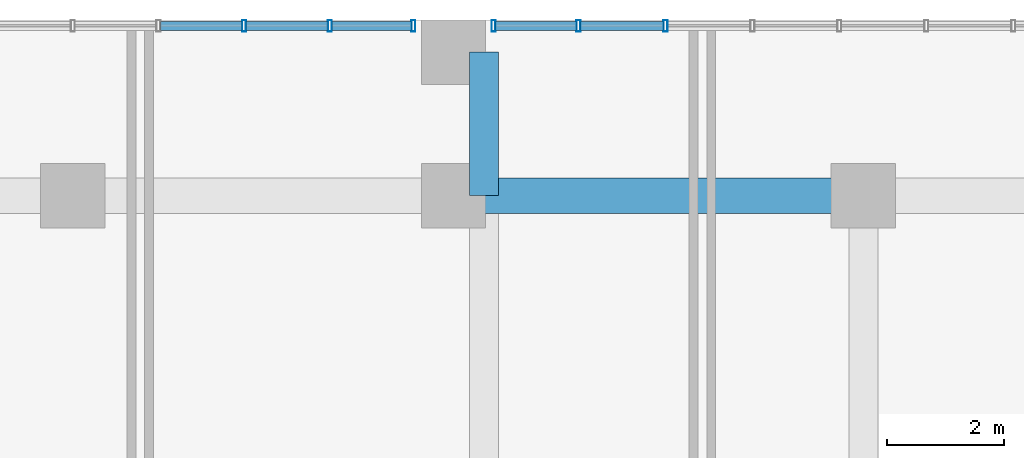
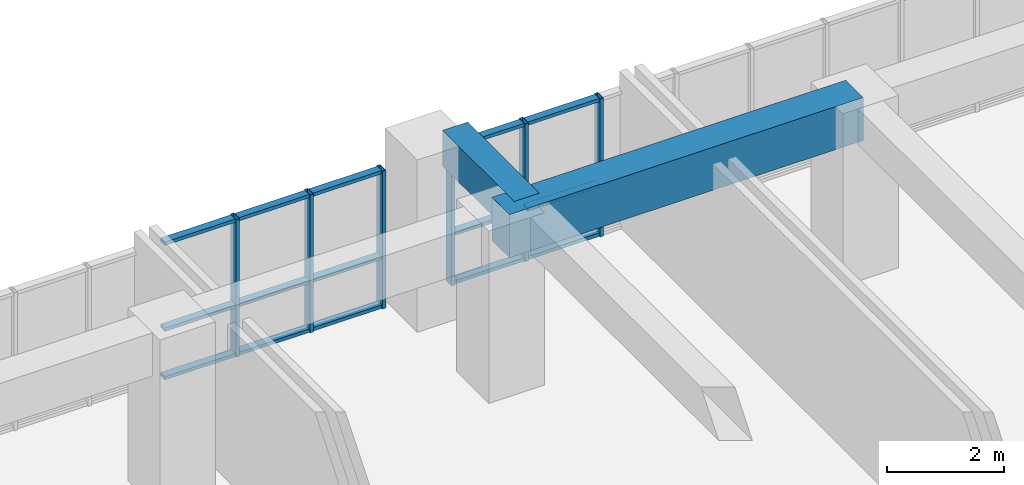
# One storey, part 13 of 30: 21 members, 2 beams, 2 elements without a shape of their own.
"""IFC4 building model written with IfcOpenShell, lengths in metres."""

from ifc_helpers import new_model, si_unit, direction, frame, origin, origin_2d, place, context, subcontext, project, spatial, rectangle, hollow_rectangle, extrude, source, transform, mapped, material, layer, layer_set, material_profile, profile_set, type_object, element, aggregate, save


model = new_model("IFC4")

# Units and contexts
model_context = context("Model", 3, precision=1e-05, world=origin(), true_north=direction((0.0, 1.0)))
body_context = subcontext(model_context, "Body", "Model", "MODEL_VIEW")
ifc_project = project(units=[si_unit("LENGTHUNIT", "METRE"), si_unit("AREAUNIT", "SQUARE_METRE"), si_unit("VOLUMEUNIT", "CUBIC_METRE"), si_unit("PLANEANGLEUNIT", "RADIAN"), si_unit("MASSUNIT", "GRAM", prefix="KILO")], contexts=[model_context])

# Site, building, storey
site_placement = place(None, origin())
site = spatial("IfcSite", under=ifc_project, at=site_placement, CompositionType="ELEMENT")
building_placement = place(site_placement, origin())
building = spatial("IfcBuilding", under=site, at=building_placement, Name="Saelheon Loggia Tower", CompositionType="ELEMENT")
storey_placement = place(building_placement, frame((0.0, 0.0, 11.39990234375)))
storey = spatial("IfcBuildingStorey", under=building, at=storey_placement, Name="L03", CompositionType="ELEMENT", Elevation=11.39990234375)

# Beams
ifc_material_1 = material(Name="Concrete C50/60", Category="concrete")
ifc_material_profile_1 = material_profile(ifc_material_1, rectangle(XDim=0.60009765625, YDim=0.89990234375, at=origin_2d()), Name="RC-600x900")
ifc_profile_set_1 = profile_set([ifc_material_profile_1], Name="Concrete C50/60")
beam_type_1 = type_object("IfcBeamType", Name="Beam_MainGirder_RC600x900", PredefinedType="BEAM", material=ifc_profile_set_1)
shared_shape_1 = source(origin(), body_context, "Body", "SweptSolid", [
    extrude(rectangle(XDim=0.60009765625, YDim=0.89990234375, at=origin_2d()), origin(), (0.0, 0.0, 1.0), 7.0),
])
beam_1_placement = place(storey_placement, frame((44.5, 51.0, 3.150146484375), z_axis=(1.0, 0.0, 0.0), x_axis=(0.0, 1.0, 0.0)))
element("IfcBeam", 1, at=beam_1_placement, inside=storey, type_object=beam_type_1, Name="BM-L03-EW-51-7", PredefinedType="BEAM", context=body_context, shape_type="MappedRepresentation", body=[
    mapped(shared_shape_1, transform((0.0, 0.0, 0.0), scale=1.0)),
])
ifc_material_2 = material(Name="Concrete C45/55", Category="concrete")
ifc_material_profile_2 = material_profile(ifc_material_2, rectangle(XDim=0.5, YDim=0.75, at=origin_2d()), Name="RC-500x750")
ifc_profile_set_2 = profile_set([ifc_material_profile_2], Name="Concrete C45/55")
beam_type_2 = type_object("IfcBeamType", Name="Beam_FloorGirder_RC500x750", PredefinedType="BEAM", material=ifc_profile_set_2)
shared_shape_2 = source(origin(), body_context, "Body", "SweptSolid", [
    extrude(rectangle(XDim=0.5, YDim=0.75, at=origin_2d()), origin(), (0.0, 0.0, 1.0), 2.449951171875),
])
beam_2_placement = place(storey_placement, frame((45.02001953125, 51.0, 3.22509765625), z_axis=(0.0, 1.0, 0.0), x_axis=(-1.0, 0.0, 0.0)))
element("IfcBeam", 2, at=beam_2_placement, inside=storey, type_object=beam_type_2, Name="BM-L03-NS-45-7", PredefinedType="BEAM", context=body_context, shape_type="MappedRepresentation", body=[
    mapped(shared_shape_2, transform((0.0, 0.0, 0.0), scale=1.0)),
])

# Curtain wall, members
ifc_material_3 = material(Name="Aluminium 6063-T6 and Low-E IGU", Category="aluminium")
ifc_layer = layer(ifc_material_3, 0.179931640625)
ifc_layer_set = layer_set([ifc_layer], Name="Aluminium 6063-T6 and Low-E IGU")
curtain_wall_type = type_object("IfcCurtainWallType", Name="CW_PodiumClinic", PredefinedType="NOTDEFINED", material=ifc_layer_set)
curtain_wall_1_placement = place(storey_placement, origin())
curtain_wall_1 = element("IfcCurtainWall", 3, at=curtain_wall_1_placement, inside=storey, type_object=curtain_wall_type, Name="L03 North Clinic Curtain Wall 2", PredefinedType="NOTDEFINED")
ifc_material_4 = material(Name="Anodised Aluminium 6063-T6", Category="aluminium")
ifc_material_profile_3 = material_profile(ifc_material_4, hollow_rectangle(XDim=0.070068359375, YDim=0.199951171875, WallThickness=0.0048828125, at=origin_2d()), Name="RHS-200x70x5")
ifc_profile_set_3 = profile_set([ifc_material_profile_3], Name="Anodised Aluminium 6063-T6")
member_type_1 = type_object("IfcMemberType", Name="CW_PodiumClinic_Mullion", PredefinedType="MULLION", material=ifc_profile_set_3)
shared_shape_3 = source(origin(), body_context, "Body", "SweptSolid", [
    extrude(hollow_rectangle(XDim=0.070068359375, YDim=0.199951171875, WallThickness=0.0048828125, at=origin_2d()), origin(), (0.0, 0.0, 1.0), 2.880126953125),
])
member_1_placement = place(storey_placement, frame((40.925048828125, 53.89990234375, 0.0), z_axis=(0.0, 0.0, 1.0), x_axis=(1.0, 0.0, 0.0)))
member_1 = element("IfcMember", 4, at=member_1_placement, type_object=member_type_1, Name="CW1 mullion 7", PredefinedType="MULLION", context=body_context, shape_type="MappedRepresentation", body=[
    mapped(shared_shape_3, transform((0.0, 0.0, 0.0), scale=1.0)),
])
member_2_placement = place(storey_placement, frame((42.387451171875, 53.89990234375, 0.0), z_axis=(0.0, 0.0, 1.0), x_axis=(1.0, 0.0, 0.0)))
member_2 = element("IfcMember", 5, at=member_2_placement, type_object=member_type_1, Name="CW1 mullion 8", PredefinedType="MULLION", context=body_context, shape_type="MappedRepresentation", body=[
    mapped(shared_shape_3, transform((0.0, 0.0, 0.0), scale=1.0)),
])
member_3_placement = place(storey_placement, frame((43.81494140625, 53.89990234375, 0.0), z_axis=(0.0, 0.0, 1.0), x_axis=(1.0, 0.0, 0.0)))
member_3 = element("IfcMember", 6, at=member_3_placement, type_object=member_type_1, Name="CW1 mullion 9", PredefinedType="MULLION", context=body_context, shape_type="MappedRepresentation", body=[
    mapped(shared_shape_3, transform((0.0, 0.0, 0.0), scale=1.0)),
])

curtain_wall_2_placement = place(storey_placement, origin())
curtain_wall_2 = element("IfcCurtainWall", 7, at=curtain_wall_2_placement, inside=storey, type_object=curtain_wall_type, Name="L03 North Clinic Curtain Wall 3", PredefinedType="NOTDEFINED")
member_4_placement = place(storey_placement, frame((45.18505859375, 53.89990234375, 0.0), z_axis=(0.0, 0.0, 1.0), x_axis=(1.0, 0.0, 0.0)))
member_4 = element("IfcMember", 8, at=member_4_placement, type_object=member_type_1, Name="CW1 mullion 1", PredefinedType="MULLION", context=body_context, shape_type="MappedRepresentation", body=[
    mapped(shared_shape_3, transform((0.0, 0.0, 0.0), scale=1.0)),
])
member_5_placement = place(storey_placement, frame((46.635009765625, 53.89990234375, 0.0), z_axis=(0.0, 0.0, 1.0), x_axis=(1.0, 0.0, 0.0)))
member_5 = element("IfcMember", 9, at=member_5_placement, type_object=member_type_1, Name="CW1 mullion 2", PredefinedType="MULLION", context=body_context, shape_type="MappedRepresentation", body=[
    mapped(shared_shape_3, transform((0.0, 0.0, 0.0), scale=1.0)),
])
member_6_placement = place(storey_placement, frame((48.1201171875, 53.89990234375, 0.0), z_axis=(0.0, 0.0, 1.0), x_axis=(1.0, 0.0, 0.0)))
member_6 = element("IfcMember", 10, at=member_6_placement, type_object=member_type_1, Name="CW1 mullion 3", PredefinedType="MULLION", context=body_context, shape_type="MappedRepresentation", body=[
    mapped(shared_shape_3, transform((0.0, 0.0, 0.0), scale=1.0)),
])
ifc_material_profile_4 = material_profile(ifc_material_4, hollow_rectangle(XDim=0.070068359375, YDim=0.14990234375, WallThickness=0.0048828125, at=origin_2d()), Name="RHS-150x70x5")
ifc_profile_set_4 = profile_set([ifc_material_profile_4], Name="Anodised Aluminium 6063-T6")
member_type_2 = type_object("IfcMemberType", Name="CW_PodiumClinic_Transom", PredefinedType="USERDEFINED", material=ifc_profile_set_4)
shared_shape_4 = source(origin(), body_context, "Body", "SweptSolid", [
    extrude(hollow_rectangle(XDim=0.070068359375, YDim=0.14990234375, WallThickness=0.0048828125, at=origin_2d()), origin(), (0.0, 0.0, 1.0), 1.4150390625),
])
member_7_placement = place(storey_placement, frame((46.669921875, 53.89990234375, 0.03515625), z_axis=(1.0, 0.0, 0.0), x_axis=(0.0, 0.0, 1.0)))
member_7 = element("IfcMember", 11, at=member_7_placement, type_object=member_type_2, Name="CW1 transom 2.1", ObjectType="TRANSOM", PredefinedType="USERDEFINED", context=body_context, shape_type="MappedRepresentation", body=[
    mapped(shared_shape_4, transform((0.0, 0.0, 0.0), scale=1.0)),
])
member_8_placement = place(storey_placement, frame((46.669921875, 53.89990234375, 1.050048828125), z_axis=(1.0, 0.0, 0.0), x_axis=(0.0, 0.0, 1.0)))
member_8 = element("IfcMember", 12, at=member_8_placement, type_object=member_type_2, Name="CW1 transom 2.2", ObjectType="TRANSOM", PredefinedType="USERDEFINED", context=body_context, shape_type="MappedRepresentation", body=[
    mapped(shared_shape_4, transform((0.0, 0.0, 0.0), scale=1.0)),
])
member_9_placement = place(storey_placement, frame((46.669921875, 53.89990234375, 2.84521484375), z_axis=(1.0, 0.0, 0.0), x_axis=(0.0, 0.0, 1.0)))
member_9 = element("IfcMember", 13, at=member_9_placement, type_object=member_type_2, Name="CW1 transom 2.3", ObjectType="TRANSOM", PredefinedType="USERDEFINED", context=body_context, shape_type="MappedRepresentation", body=[
    mapped(shared_shape_4, transform((0.0, 0.0, 0.0), scale=1.0)),
])
shared_shape_5 = source(origin(), body_context, "Body", "SweptSolid", [
    extrude(hollow_rectangle(XDim=0.070068359375, YDim=0.14990234375, WallThickness=0.0048828125, at=origin_2d()), origin(), (0.0, 0.0, 1.0), 1.380126953125),
])
member_10_placement = place(storey_placement, frame((45.219970703125, 53.89990234375, 0.03515625), z_axis=(1.0, 0.0, 0.0), x_axis=(0.0, 0.0, 1.0)))
member_10 = element("IfcMember", 14, at=member_10_placement, type_object=member_type_2, Name="CW1 transom 1.1", ObjectType="TRANSOM", PredefinedType="USERDEFINED", context=body_context, shape_type="MappedRepresentation", body=[
    mapped(shared_shape_5, transform((0.0, 0.0, 0.0), scale=1.0)),
])
member_11_placement = place(storey_placement, frame((45.219970703125, 53.89990234375, 1.050048828125), z_axis=(1.0, 0.0, 0.0), x_axis=(0.0, 0.0, 1.0)))
member_11 = element("IfcMember", 15, at=member_11_placement, type_object=member_type_2, Name="CW1 transom 1.2", ObjectType="TRANSOM", PredefinedType="USERDEFINED", context=body_context, shape_type="MappedRepresentation", body=[
    mapped(shared_shape_5, transform((0.0, 0.0, 0.0), scale=1.0)),
])
member_12_placement = place(storey_placement, frame((45.219970703125, 53.89990234375, 2.84521484375), z_axis=(1.0, 0.0, 0.0), x_axis=(0.0, 0.0, 1.0)))
member_12 = element("IfcMember", 16, at=member_12_placement, type_object=member_type_2, Name="CW1 transom 1.3", ObjectType="TRANSOM", PredefinedType="USERDEFINED", context=body_context, shape_type="MappedRepresentation", body=[
    mapped(shared_shape_5, transform((0.0, 0.0, 0.0), scale=1.0)),
])
aggregate(curtain_wall_2, [member_4, member_5, member_6, member_10, member_11, member_12, member_7, member_8, member_9])

# Member
shared_shape_6 = source(origin(), body_context, "Body", "SweptSolid", [
    extrude(hollow_rectangle(XDim=0.070068359375, YDim=0.14990234375, WallThickness=0.0048828125, at=origin_2d()), origin(), (0.0, 0.0, 1.0), 1.357421875),
])
member_13_placement = place(storey_placement, frame((42.422607421875, 53.89990234375, 0.03515625), z_axis=(1.0, 0.0, 0.0), x_axis=(0.0, 0.0, 1.0)))
member_13 = element("IfcMember", 17, at=member_13_placement, type_object=member_type_2, Name="CW1 transom 8.1", ObjectType="TRANSOM", PredefinedType="USERDEFINED", context=body_context, shape_type="MappedRepresentation", body=[
    mapped(shared_shape_6, transform((0.0, 0.0, 0.0), scale=1.0)),
])

member_14_placement = place(storey_placement, frame((42.422607421875, 53.89990234375, 1.050048828125), z_axis=(1.0, 0.0, 0.0), x_axis=(0.0, 0.0, 1.0)))
member_14 = element("IfcMember", 18, at=member_14_placement, type_object=member_type_2, Name="CW1 transom 8.2", ObjectType="TRANSOM", PredefinedType="USERDEFINED", context=body_context, shape_type="MappedRepresentation", body=[
    mapped(shared_shape_6, transform((0.0, 0.0, 0.0), scale=1.0)),
])

member_15_placement = place(storey_placement, frame((42.422607421875, 53.89990234375, 2.84521484375), z_axis=(1.0, 0.0, 0.0), x_axis=(0.0, 0.0, 1.0)))
member_15 = element("IfcMember", 19, at=member_15_placement, type_object=member_type_2, Name="CW1 transom 8.3", ObjectType="TRANSOM", PredefinedType="USERDEFINED", context=body_context, shape_type="MappedRepresentation", body=[
    mapped(shared_shape_6, transform((0.0, 0.0, 0.0), scale=1.0)),
])

shared_shape_7 = source(origin(), body_context, "Body", "SweptSolid", [
    extrude(hollow_rectangle(XDim=0.070068359375, YDim=0.14990234375, WallThickness=0.0048828125, at=origin_2d()), origin(), (0.0, 0.0, 1.0), 1.392578125),
])
member_16_placement = place(storey_placement, frame((40.9599609375, 53.89990234375, 0.03515625), z_axis=(1.0, 0.0, 0.0), x_axis=(0.0, 0.0, 1.0)))
member_16 = element("IfcMember", 20, at=member_16_placement, type_object=member_type_2, Name="CW1 transom 7.1", ObjectType="TRANSOM", PredefinedType="USERDEFINED", context=body_context, shape_type="MappedRepresentation", body=[
    mapped(shared_shape_7, transform((0.0, 0.0, 0.0), scale=1.0)),
])

member_17_placement = place(storey_placement, frame((40.9599609375, 53.89990234375, 1.050048828125), z_axis=(1.0, 0.0, 0.0), x_axis=(0.0, 0.0, 1.0)))
member_17 = element("IfcMember", 21, at=member_17_placement, type_object=member_type_2, Name="CW1 transom 7.2", ObjectType="TRANSOM", PredefinedType="USERDEFINED", context=body_context, shape_type="MappedRepresentation", body=[
    mapped(shared_shape_7, transform((0.0, 0.0, 0.0), scale=1.0)),
])

member_18_placement = place(storey_placement, frame((40.9599609375, 53.89990234375, 2.84521484375), z_axis=(1.0, 0.0, 0.0), x_axis=(0.0, 0.0, 1.0)))
member_18 = element("IfcMember", 22, at=member_18_placement, type_object=member_type_2, Name="CW1 transom 7.3", ObjectType="TRANSOM", PredefinedType="USERDEFINED", context=body_context, shape_type="MappedRepresentation", body=[
    mapped(shared_shape_7, transform((0.0, 0.0, 0.0), scale=1.0)),
])

shared_shape_8 = source(origin(), body_context, "Body", "SweptSolid", [
    extrude(hollow_rectangle(XDim=0.070068359375, YDim=0.14990234375, WallThickness=0.0048828125, at=origin_2d()), origin(), (0.0, 0.0, 1.0), 1.392333984375),
])
member_19_placement = place(storey_placement, frame((39.49755859375, 53.89990234375, 0.03515625), z_axis=(1.0, 0.0, 0.0), x_axis=(0.0, 0.0, 1.0)))
member_19 = element("IfcMember", 23, at=member_19_placement, type_object=member_type_2, Name="CW1 transom 6.1", ObjectType="TRANSOM", PredefinedType="USERDEFINED", context=body_context, shape_type="MappedRepresentation", body=[
    mapped(shared_shape_8, transform((0.0, 0.0, 0.0), scale=1.0)),
])

member_20_placement = place(storey_placement, frame((39.49755859375, 53.89990234375, 1.050048828125), z_axis=(1.0, 0.0, 0.0), x_axis=(0.0, 0.0, 1.0)))
member_20 = element("IfcMember", 24, at=member_20_placement, type_object=member_type_2, Name="CW1 transom 6.2", ObjectType="TRANSOM", PredefinedType="USERDEFINED", context=body_context, shape_type="MappedRepresentation", body=[
    mapped(shared_shape_8, transform((0.0, 0.0, 0.0), scale=1.0)),
])

member_21_placement = place(storey_placement, frame((39.49755859375, 53.89990234375, 2.84521484375), z_axis=(1.0, 0.0, 0.0), x_axis=(0.0, 0.0, 1.0)))
member_21 = element("IfcMember", 25, at=member_21_placement, type_object=member_type_2, Name="CW1 transom 6.3", ObjectType="TRANSOM", PredefinedType="USERDEFINED", context=body_context, shape_type="MappedRepresentation", body=[
    mapped(shared_shape_8, transform((0.0, 0.0, 0.0), scale=1.0)),
])

aggregate(curtain_wall_1, [member_1, member_2, member_3, member_19, member_20, member_21, member_16, member_17, member_18, member_13, member_14, member_15])

save(model, "model.ifc")
